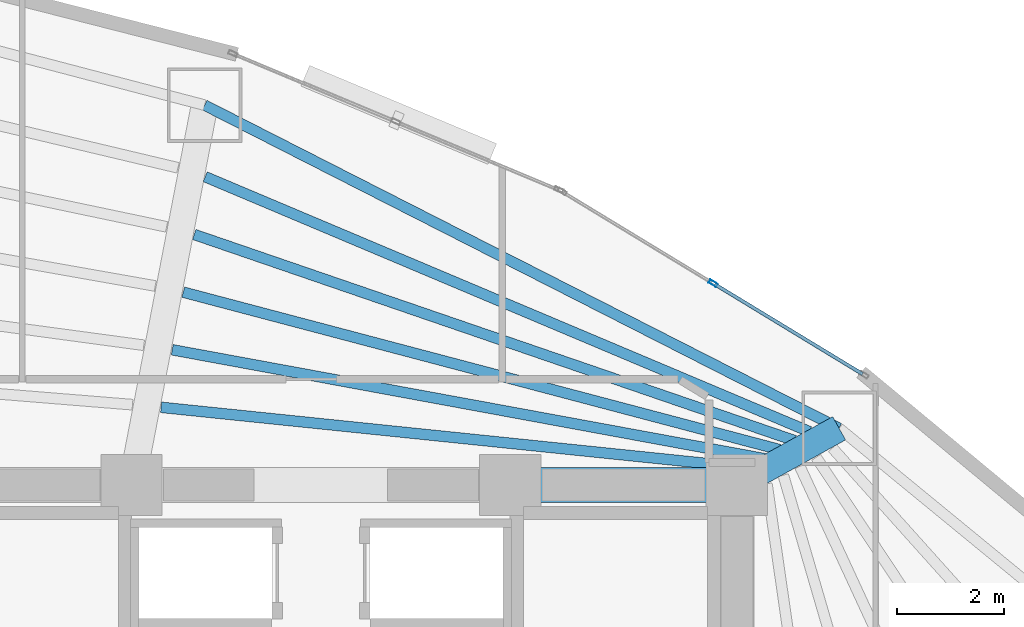
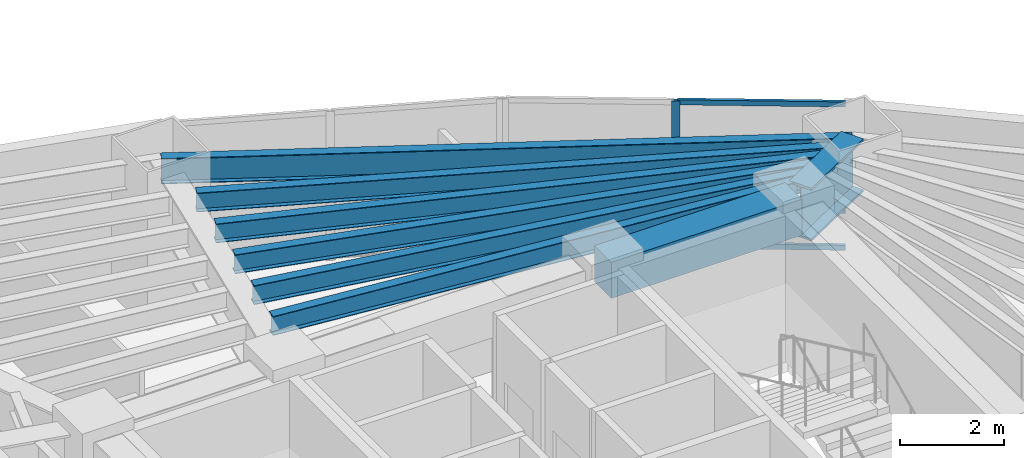
# One storey, part 10 of 18: 8 beams, 4 members, 1 element without a shape of its own.
"""IFC4 building model written with IfcOpenShell, lengths in metres."""

import ifcopenshell
import ifcopenshell.guid

model = None  # the IFC model being written
_history = None  # IfcOwnerHistory: only IFC2X3 demands one
_inside = {}  # id of a spatial element -> (the spatial element, [elements in it])
_under = {}  # id of a project, library or spatial element -> (it, [spatial elements below it])
_declared = {}  # id of a project -> (the project, [libraries it declares])
_typed = {}  # id of a type object -> (the type object, [elements of that type])
_made_of = {}  # id of a material, layer set ... -> (it, [elements and type objects made of it])


def new_model(schema):
    """Start an empty IFC model of exactly this schema.

    Asked for "IFC4X3", IfcOpenShell would pick the latest addendum, in which some entities
    have other attributes; the version numbers below select the first issue.
    IFC2X3 requires an IfcOwnerHistory on every rooted entity: one is made here for all.
    """
    global model, _history
    if schema == "IFC4X3":
        model = ifcopenshell.file(schema_version=(4, 3, 0, 0))
    else:
        model = ifcopenshell.file(schema=schema)
    _inside.clear()
    _under.clear()
    _declared.clear()
    _typed.clear()
    _made_of.clear()
    _history = None
    if model.schema == "IFC2X3":
        org = make("IfcOrganization", Name="unknown")
        user = make(
            "IfcPersonAndOrganization",
            ThePerson=make("IfcPerson", FamilyName="unknown"),
            TheOrganization=org,
        )
        app = make(
            "IfcApplication",
            ApplicationDeveloper=org,
            Version="unknown",
            ApplicationFullName="unknown",
            ApplicationIdentifier="unknown",
        )
        _history = make(
            "IfcOwnerHistory",
            OwningUser=user,
            OwningApplication=app,
            ChangeAction="ADDED",
            CreationDate=0,
        )
    return model


def make(cls, **values):
    """One entity of the class cls with the attributes given. An attribute that is None is left unset."""
    return model.create_entity(
        cls, **{name: value for name, value in values.items() if value is not None}
    )


def rooted(cls, **values):
    """An entity with a GlobalId (a new one), such as an element, a storey or a relation."""
    return make(cls, GlobalId=ifcopenshell.guid.new(), OwnerHistory=_history, **values)


def si_unit(unit_type, name, prefix=None):
    """IfcSIUnit, for example si_unit("LENGTHUNIT", "METRE", prefix="MILLI")."""
    return make("IfcSIUnit", UnitType=unit_type, Prefix=prefix, Name=name)


def assignment(units):
    """IfcUnitAssignment: the units of a project."""
    return None if units is None else make("IfcUnitAssignment", Units=units)


def point(xyz):
    """IfcCartesianPoint."""
    return None if xyz is None else make("IfcCartesianPoint", Coordinates=xyz)


def direction(xyz):
    """IfcDirection."""
    return None if xyz is None else make("IfcDirection", DirectionRatios=xyz)


def frame(location, z_axis=None, x_axis=None):
    """IfcAxis2Placement3D, a coordinate frame: its origin and axes. An axis left out is left unset."""
    return make(
        "IfcAxis2Placement3D",
        Location=point(location),
        Axis=direction(z_axis),
        RefDirection=direction(x_axis),
    )


def frame_2d(location, x_axis=None):
    """IfcAxis2Placement2D, a coordinate frame in the plane: its origin and x axis."""
    return make(
        "IfcAxis2Placement2D", Location=point(location), RefDirection=direction(x_axis)
    )


def origin():
    """The frame at (0, 0, 0) with its axes left unset."""
    return frame((0.0, 0.0, 0.0))


def origin_2d():
    """The frame at (0, 0) in the plane with its x axis left unset."""
    return frame_2d((0.0, 0.0))


def place(relative_to, where):
    """IfcLocalPlacement: puts the frame where relative to a parent placement (None: the world)."""
    return make(
        "IfcLocalPlacement", PlacementRelTo=relative_to, RelativePlacement=where
    )


def context(
    kind, dimensions, precision=None, world=None, true_north=None, identifier=None
):
    """IfcGeometricRepresentationContext, for example the 3D "Model" context."""
    return make(
        "IfcGeometricRepresentationContext",
        ContextIdentifier=identifier,
        ContextType=kind,
        CoordinateSpaceDimension=dimensions,
        Precision=precision,
        WorldCoordinateSystem=world,
        TrueNorth=true_north,
    )


def subcontext(parent, identifier, kind, view, scale=None):
    """IfcGeometricRepresentationSubContext, for example "Body" below "Model"."""
    return make(
        "IfcGeometricRepresentationSubContext",
        ContextIdentifier=identifier,
        ContextType=kind,
        ParentContext=parent,
        TargetScale=scale,
        TargetView=view,
    )


def project(units=None, contexts=None):
    """IfcProject with its units and contexts."""
    return rooted(
        "IfcProject",
        Name="project",
        RepresentationContexts=contexts,
        UnitsInContext=assignment(units),
    )


def spatial(cls, under=None, at=None, **own):
    """A site, building, storey or space (cls), placed at a placement, below another one or the project."""
    s = rooted(cls, ObjectPlacement=at, **own)
    if under is not None:
        _under.setdefault(under.id(), (under, []))[1].append(s)
    return s


def profile(cls, at=None, kind="AREA", **sizes):
    """A parametric profile (cls). Its sizes go by their IFC names, for example OverallWidth=200.0."""
    return make(cls, ProfileType=kind, Position=at, **sizes)


def rectangle(**sizes):
    """IfcRectangleProfileDef."""
    return profile("IfcRectangleProfileDef", **sizes)


def hollow_rectangle(**sizes):
    """IfcRectangleHollowProfileDef."""
    return profile("IfcRectangleHollowProfileDef", **sizes)


def i_section(**sizes):
    """IfcIShapeProfileDef."""
    return profile("IfcIShapeProfileDef", **sizes)


def extrude(swept, where, along, depth):
    """IfcExtrudedAreaSolid: the profile swept, set in the frame where, extruded along a direction by depth."""
    return make(
        "IfcExtrudedAreaSolid",
        SweptArea=swept,
        Position=where,
        ExtrudedDirection=direction(along),
        Depth=depth,
    )


def shape(context_of_items, identifier, shape_type, items):
    """IfcShapeRepresentation: the items that make up one representation, for example the "Body"."""
    return make(
        "IfcShapeRepresentation",
        ContextOfItems=context_of_items,
        RepresentationIdentifier=identifier,
        RepresentationType=shape_type,
        Items=items,
    )


def material(Name=None, Category=None):
    """IfcMaterial."""
    return make("IfcMaterial", Name=Name, Category=Category)


def layer(
    of_material, thickness, ventilated=None, Name=None, Category=None, Priority=None
):
    """IfcMaterialLayer: one layer of a wall or slab, of a material (None: an air gap)."""
    return make(
        "IfcMaterialLayer",
        Material=of_material,
        LayerThickness=thickness,
        IsVentilated=ventilated,
        Name=Name,
        Category=Category,
        Priority=Priority,
    )


def layer_set(layers, Name=None):
    """IfcMaterialLayerSet."""
    return make("IfcMaterialLayerSet", MaterialLayers=layers, LayerSetName=Name)


def material_profile(
    of_material, cross_section, Name=None, Category=None, Priority=None
):
    """IfcMaterialProfile: a cross section and its material."""
    return make(
        "IfcMaterialProfile",
        Name=Name,
        Material=of_material,
        Profile=cross_section,
        Priority=Priority,
        Category=Category,
    )


def profile_set(profiles, Name=None, composite=None):
    """IfcMaterialProfileSet."""
    return make(
        "IfcMaterialProfileSet",
        Name=Name,
        MaterialProfiles=profiles,
        CompositeProfile=composite,
    )


def made_of(thing, what):
    """Note that an element or type object is made of a material, layer set ...; save() writes the relation."""
    if what is not None:
        _made_of.setdefault(what.id(), (what, []))[1].append(thing)
    return thing


def type_object(cls, material=None, **own):
    """A type object (cls), such as IfcWallType, which elements share."""
    return made_of(rooted(cls, **own), material)


def element(
    cls,
    number,
    at=None,
    inside=None,
    cuts=None,
    type_object=None,
    material=None,
    context=None,
    identifier="Body",
    shape_type=None,
    held_by="IfcProductDefinitionShape",
    body=None,
    shapes=None,
    **own,
):
    """One element of the class cls, such as IfcWall. Its Tag is "e" and its number.

    at: its placement. inside: the storey or other place that contains it. cuts: it is an
    opening in that element (IfcRelVoidsElement). A single representation is given by context,
    identifier, shape_type and body (its items); several are given by shapes. held_by: the class
    of the entity that holds the representations. save() writes the other relations.
    """
    e = rooted(cls, Tag="e%d" % number, ObjectPlacement=at, **own)
    if body is not None:
        shapes = [shape(context, identifier, shape_type, body)]
    if shapes is not None:
        e.Representation = make(held_by, Representations=shapes)
    if inside is not None:
        _inside.setdefault(inside.id(), (inside, []))[1].append(e)
    if cuts is not None:
        rooted(
            "IfcRelVoidsElement", RelatingBuildingElement=cuts, RelatedOpeningElement=e
        )
    if type_object is not None:
        _typed.setdefault(type_object.id(), (type_object, []))[1].append(e)
    return made_of(e, material)


def aggregate(whole, parts):
    """IfcRelAggregates: a whole, such as a stair, and the parts it consists of."""
    return rooted("IfcRelAggregates", RelatingObject=whole, RelatedObjects=parts)


def save(model, path):
    """Write the relations noted so far, then the file.

    IfcRelAggregates (storeys below a building ...), IfcRelContainedInSpatialStructure (elements
    in a storey), IfcRelDefinesByType, IfcRelAssociatesMaterial and IfcRelDeclares: one each for
    every whole, place, type object, material and project.
    """
    for whole, parts in _under.values():
        aggregate(whole, parts)
    for where, things in _inside.values():
        rooted(
            "IfcRelContainedInSpatialStructure",
            RelatedElements=things,
            RelatingStructure=where,
        )
    for kind, things in _typed.values():
        rooted("IfcRelDefinesByType", RelatedObjects=things, RelatingType=kind)
    for what, things in _made_of.values():
        rooted("IfcRelAssociatesMaterial", RelatedObjects=things, RelatingMaterial=what)
    for by, libraries in _declared.values():
        rooted("IfcRelDeclares", RelatingContext=by, RelatedDefinitions=libraries)
    model.write(path)


model = new_model("IFC4")

# Units and contexts
model_context = context("Model", 3, precision=1e-05, world=origin(), true_north=direction((0.0, 1.0)))
body_context = subcontext(model_context, "Body", "Model", "MODEL_VIEW")
ifc_project = project(units=[si_unit("LENGTHUNIT", "METRE"), si_unit("AREAUNIT", "SQUARE_METRE"), si_unit("VOLUMEUNIT", "CUBIC_METRE"), si_unit("PLANEANGLEUNIT", "RADIAN"), si_unit("MASSUNIT", "GRAM", prefix="KILO")], contexts=[model_context])

# Site, building, storey
site_placement = place(None, origin())
site = spatial("IfcSite", under=ifc_project, at=site_placement, CompositionType="ELEMENT")
building_placement = place(site_placement, origin())
building = spatial("IfcBuilding", under=site, at=building_placement, Name="Menara Vayukalpa", CompositionType="ELEMENT")
storey_placement = place(building_placement, frame((0.0, 0.0, 53.639892578125)))
storey = spatial("IfcBuildingStorey", under=building, at=storey_placement, Name="L12", CompositionType="ELEMENT", Elevation=53.639892578125)

# Beams
ifc_material_1 = material(Name="Concrete C60/75", Category="concrete")
ifc_material_profile_1 = material_profile(ifc_material_1, rectangle(XDim=0.64990234375, YDim=0.85009765625, at=origin_2d()), Name="RC 650x850")
ifc_profile_set_1 = profile_set([ifc_material_profile_1], Name="Concrete C60/75")
beam_type_1 = type_object("IfcBeamType", Name="BM-CB1", PredefinedType="BEAM", material=ifc_profile_set_1)
beam_1_placement = place(storey_placement, frame((29.14990234375, 26.800048828125, 3.01513671875), z_axis=(1.0, 0.0, 0.0), x_axis=(0.0, 1.0, 0.0)))
element("IfcBeam", 1, at=beam_1_placement, inside=storey, type_object=beam_type_1, Name="L12 Core Tie Beam CBR6", PredefinedType="BEAM", context=body_context, shape_type="SweptSolid", body=[
    extrude(rectangle(XDim=0.64990234375, YDim=0.85009765625, at=origin_2d()), origin(), (0.0, 0.0, 1.0), 4.25),
])
ifc_material_2 = material(Name="Steel S355", Category="steel")
ifc_material_profile_2 = material_profile(ifc_material_2, i_section(OverallWidth=0.199951171875, OverallDepth=0.449951171875, WebThickness=0.009033203125, FlangeThickness=0.013916015625, at=origin_2d()), Name="WF 450x200x9x14")
ifc_profile_set_2 = profile_set([ifc_material_profile_2], Name="Steel S355")
beam_type_2 = type_object("IfcBeamType", Name="BM-SJ1", PredefinedType="JOIST", material=ifc_profile_set_2)
beam_2_placement = place(storey_placement, frame((33.656005859375, 27.118408203125, 3.215087890625), z_axis=(-0.994745866007, 0.102375104699, 0.0), x_axis=(-0.102375104699, -0.994745866007, 0.0)))
element("IfcBeam", 2, at=beam_2_placement, inside=storey, type_object=beam_type_2, Name="L12 Secondary Floor Joist SJ02-1", PredefinedType="JOIST", context=body_context, shape_type="SweptSolid", body=[
    extrude(i_section(OverallWidth=0.199951171875, OverallDepth=0.449951171875, WebThickness=0.009033203125, FlangeThickness=0.013916015625, at=origin_2d()), origin(), (0.0, 0.0, 1.0), 11.110595703125),
])
beam_3_placement = place(storey_placement, frame((33.930908203125, 27.290283203125, 3.215087890625), z_axis=(-0.983508224287, 0.180863409126, 0.0), x_axis=(-0.180863409126, -0.983508224287, 0.0)))
element("IfcBeam", 3, at=beam_3_placement, inside=storey, type_object=beam_type_2, Name="L12 Secondary Floor Joist SJ02-2", PredefinedType="JOIST", context=body_context, shape_type="SweptSolid", body=[
    extrude(i_section(OverallWidth=0.199951171875, OverallDepth=0.449951171875, WebThickness=0.009033203125, FlangeThickness=0.013916015625, at=origin_2d()), origin(), (0.0, 0.0, 1.0), 11.30517578125),
])
beam_4_placement = place(storey_placement, frame((34.207275390625, 27.461181640625, 3.215087890625), z_axis=(-0.966863767384, 0.255292881451, 0.0), x_axis=(-0.255292881451, -0.966863767384, 0.0)))
element("IfcBeam", 4, at=beam_4_placement, inside=storey, type_object=beam_type_2, Name="L12 Secondary Floor Joist SJ02-3", PredefinedType="JOIST", context=body_context, shape_type="SweptSolid", body=[
    extrude(i_section(OverallWidth=0.199951171875, OverallDepth=0.449951171875, WebThickness=0.009033203125, FlangeThickness=0.013916015625, at=origin_2d()), origin(), (0.0, 0.0, 1.0), 11.571533203125),
])
beam_5_placement = place(storey_placement, frame((34.48486328125, 27.630615234375, 3.215087890625), z_axis=(-0.945798447073, 0.324754210925, 0.0), x_axis=(-0.324754210925, -0.945798447073, 0.0)))
element("IfcBeam", 5, at=beam_5_placement, inside=storey, type_object=beam_type_2, Name="L12 Secondary Floor Joist SJ02-4", PredefinedType="JOIST", context=body_context, shape_type="SweptSolid", body=[
    extrude(i_section(OverallWidth=0.199951171875, OverallDepth=0.449951171875, WebThickness=0.009033203125, FlangeThickness=0.013916015625, at=origin_2d()), origin(), (0.0, 0.0, 1.0), 11.905029296875),
])
beam_6_placement = place(storey_placement, frame((34.763427734375, 27.798583984375, 3.215087890625), z_axis=(-0.921363161357, 0.38870287482, 0.0), x_axis=(-0.38870287482, -0.921363161357, 0.0)))
element("IfcBeam", 6, at=beam_6_placement, inside=storey, type_object=beam_type_2, Name="L12 Secondary Floor Joist SJ02-5", PredefinedType="JOIST", context=body_context, shape_type="SweptSolid", body=[
    extrude(i_section(OverallWidth=0.199951171875, OverallDepth=0.449951171875, WebThickness=0.009033203125, FlangeThickness=0.013916015625, at=origin_2d()), origin(), (0.0, 0.0, 1.0), 12.300537109375),
])
ifc_material_3 = material(Name="Steel S355", Category="steel")
ifc_material_profile_3 = material_profile(ifc_material_3, i_section(OverallWidth=0.199951171875, OverallDepth=0.60009765625, WebThickness=0.010986328125, FlangeThickness=0.01708984375, at=origin_2d()), Name="WF 600x200x11x17")
ifc_profile_set_3 = profile_set([ifc_material_profile_3], Name="Steel S355")
beam_type_3 = type_object("IfcBeamType", Name="BM-SP1", PredefinedType="SPANDREL", material=ifc_profile_set_3)
beam_7_placement = place(storey_placement, frame((35.318115234375, 27.86328125, 3.14013671875), z_axis=(-0.891100743313, 0.453805536841, 0.0), x_axis=(-0.453805536841, -0.891100743313, 0.0)))
element("IfcBeam", 7, at=beam_7_placement, inside=storey, type_object=beam_type_3, Name="L12 Perimeter Spandrel Beam SP02", PredefinedType="SPANDREL", context=body_context, shape_type="SweptSolid", body=[
    extrude(i_section(OverallWidth=0.199951171875, OverallDepth=0.60009765625, WebThickness=0.010986328125, FlangeThickness=0.01708984375, at=origin_2d()), origin(), (0.0, 0.0, 1.0), 13.352783203125),
])
ifc_material_4 = material(Name="Steel S460", Category="steel")
ifc_material_profile_4 = material_profile(ifc_material_4, i_section(OverallWidth=0.5, OverallDepth=1.25, WebThickness=0.028076171875, FlangeThickness=0.054931640625, at=origin_2d()), Name="WG 1250x500x28x55")
ifc_profile_set_4 = profile_set([ifc_material_profile_4], Name="Steel S460")
beam_type_4 = type_object("IfcBeamType", Name="BM-TG2", PredefinedType="BEAM", material=ifc_profile_set_4)
beam_8_placement = place(storey_placement, frame((33.61865234375, 26.921142578125, 2.815185546875), z_axis=(0.87459548214, 0.484853320727, 0.0), x_axis=(-0.484853320727, 0.87459548214, 0.0)))
element("IfcBeam", 8, at=beam_8_placement, inside=storey, type_object=beam_type_4, Name="L12 Primary Radial Girder RG02", PredefinedType="BEAM", context=body_context, shape_type="SweptSolid", body=[
    extrude(i_section(OverallWidth=0.5, OverallDepth=1.25, WebThickness=0.028076171875, FlangeThickness=0.054931640625, at=origin_2d()), origin(), (0.0, 0.0, 1.0), 1.943115234375),
])

# Curtain wall, members
ifc_material_5 = material(Name="Anodised Terracotta Aluminium Alloy 6063-T6", Category="masonry")
ifc_layer = layer(ifc_material_5, 0.1650390625)
ifc_layer_set = layer_set([ifc_layer], Name="Anodised Terracotta Aluminium Alloy 6063-T6")
curtain_wall_type = type_object("IfcCurtainWallType", Name="CW-CW2", PredefinedType="USERDEFINED", material=ifc_layer_set)
curtain_wall_placement = place(storey_placement, origin())
curtain_wall = element("IfcCurtainWall", 9, at=curtain_wall_placement, inside=storey, type_object=curtain_wall_type, Name="L12 Low Rise Terracotta Ribbon Curtain Wall CW2 04", ObjectType="UNITISED", PredefinedType="USERDEFINED")
ifc_material_6 = material(Name="Anodised Terracotta Aluminium Alloy 6063-T6", Category="masonry")
ifc_material_profile_5 = material_profile(ifc_material_6, hollow_rectangle(XDim=0.070068359375, YDim=0.1650390625, WallThickness=0.00390625, at=origin_2d()), Name="ALU 70x165x4")
ifc_profile_set_5 = profile_set([ifc_material_profile_5], Name="Anodised Terracotta Aluminium Alloy 6063-T6")
member_type_1 = type_object("IfcMemberType", Name="CWM-CW2", PredefinedType="MULLION", material=ifc_profile_set_5)
member_1_placement = place(storey_placement, frame((32.9560546875, 30.581298828125, 0.0), z_axis=(0.0, 0.0, 1.0), x_axis=(-0.519181964377, -0.854663727945, 0.0)))
member_1 = element("IfcMember", 10, at=member_1_placement, type_object=member_type_1, Name="CW2 mullion 2", PredefinedType="MULLION", context=body_context, shape_type="SweptSolid", body=[
    extrude(hollow_rectangle(XDim=0.070068359375, YDim=0.1650390625, WallThickness=0.00390625, at=origin_2d()), origin(), (0.0, 0.0, 1.0), 3.440185546875),
])
ifc_material_7 = material(Name="Anodised Terracotta Aluminium Alloy 6063-T6", Category="masonry")
ifc_material_profile_6 = material_profile(ifc_material_7, hollow_rectangle(XDim=0.06494140625, YDim=0.1201171875, WallThickness=0.00341796875, at=origin_2d()), Name="ALU 65x120x3.5")
ifc_profile_set_6 = profile_set([ifc_material_profile_6], Name="Anodised Terracotta Aluminium Alloy 6063-T6")
member_type_2 = type_object("IfcMemberType", Name="CWT-CW2", PredefinedType="USERDEFINED", material=ifc_profile_set_6)
member_2_placement = place(storey_placement, frame((35.75732421875, 28.879638671875, 0.03271484375), z_axis=(-0.854643142641, 0.519215849851, 0.0), x_axis=(-0.519215849851, -0.854643142641, 0.0)))
member_2 = element("IfcMember", 11, at=member_2_placement, type_object=member_type_2, Name="CW2 transom 1.1", ObjectType="TRANSOM", PredefinedType="USERDEFINED", context=body_context, shape_type="SweptSolid", body=[
    extrude(hollow_rectangle(XDim=0.06494140625, YDim=0.1201171875, WallThickness=0.00341796875, at=origin_2d()), origin(), (0.0, 0.0, 1.0), 3.24267578125),
])
member_3_placement = place(storey_placement, frame((35.75732421875, 28.879638671875, 0.900146484375), z_axis=(-0.854643142641, 0.519215849851, 0.0), x_axis=(-0.519215849851, -0.854643142641, 0.0)))
member_3 = element("IfcMember", 12, at=member_3_placement, type_object=member_type_2, Name="CW2 transom 1.2", ObjectType="TRANSOM", PredefinedType="USERDEFINED", context=body_context, shape_type="SweptSolid", body=[
    extrude(hollow_rectangle(XDim=0.06494140625, YDim=0.1201171875, WallThickness=0.00341796875, at=origin_2d()), origin(), (0.0, 0.0, 1.0), 3.24267578125),
])
member_4_placement = place(storey_placement, frame((35.75732421875, 28.879638671875, 3.40771484375), z_axis=(-0.854643142641, 0.519215849851, 0.0), x_axis=(-0.519215849851, -0.854643142641, 0.0)))
member_4 = element("IfcMember", 13, at=member_4_placement, type_object=member_type_2, Name="CW2 transom 1.3", ObjectType="TRANSOM", PredefinedType="USERDEFINED", context=body_context, shape_type="SweptSolid", body=[
    extrude(hollow_rectangle(XDim=0.06494140625, YDim=0.1201171875, WallThickness=0.00341796875, at=origin_2d()), origin(), (0.0, 0.0, 1.0), 3.24267578125),
])
aggregate(curtain_wall, [member_1, member_2, member_3, member_4])

save(model, "model.ifc")
